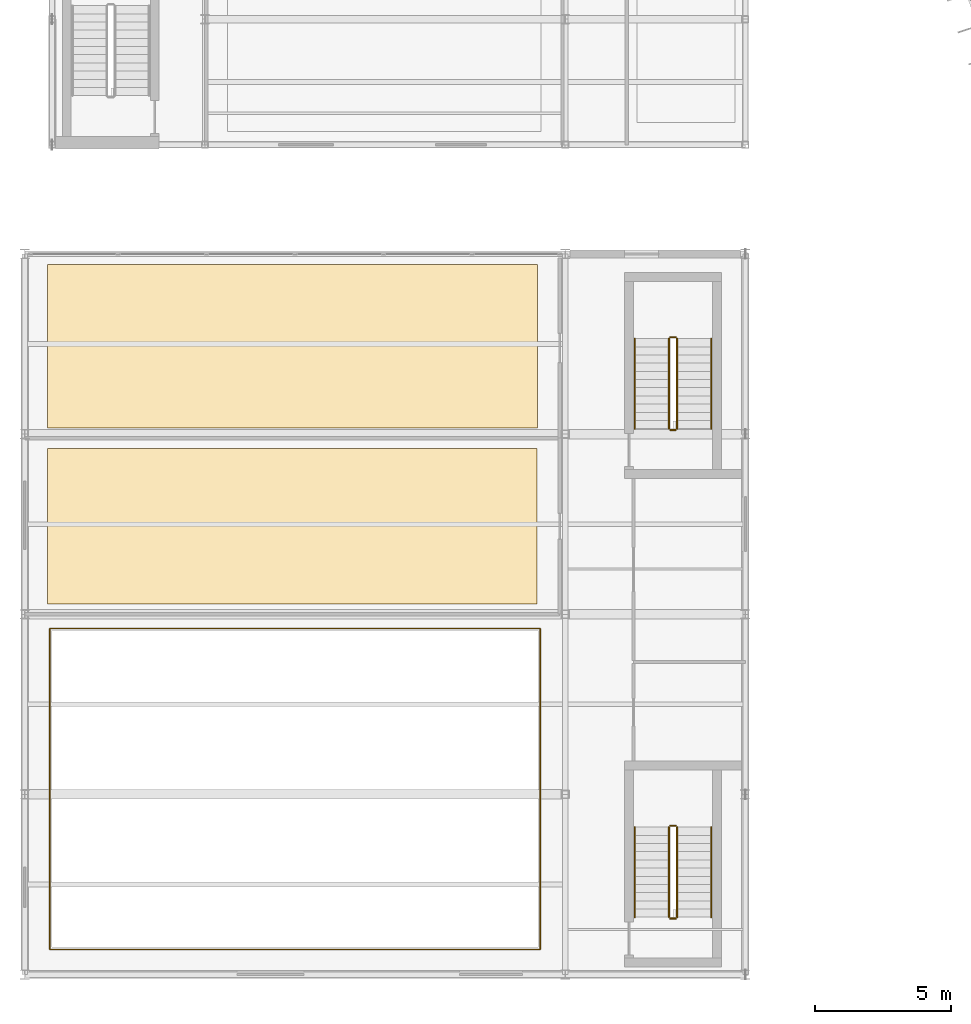
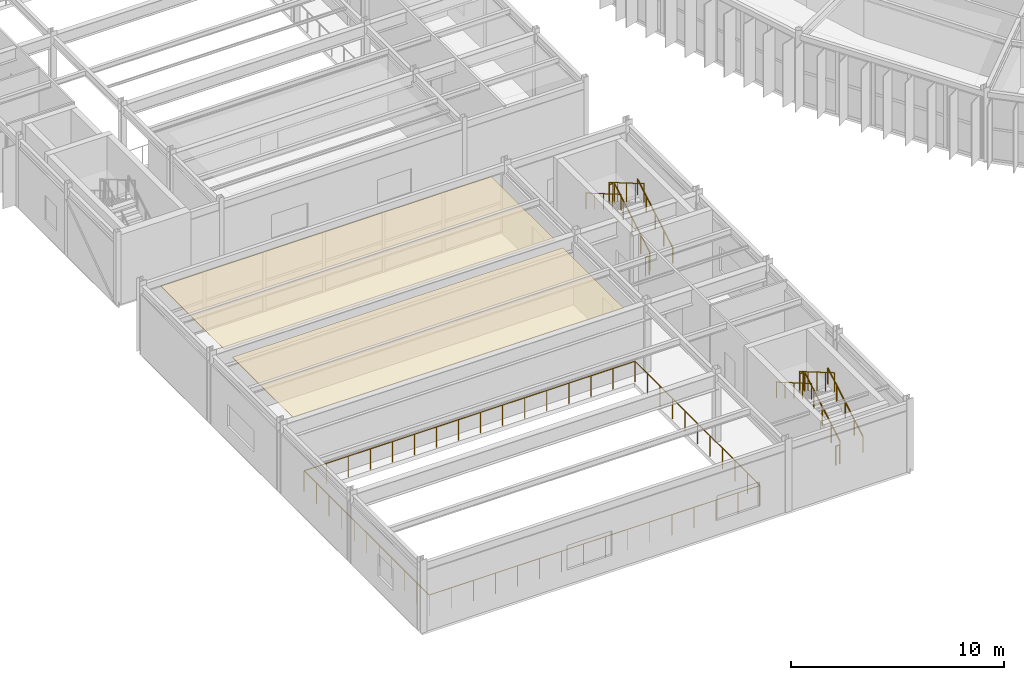
# One storey, part 133 of 148: 13 railings, 2 coverings.
"""IFC4 building model written with IfcOpenShell, lengths in metres."""

from ifc_helpers import new_model, si_unit, direction, frame, origin, origin_2d, place, context, subcontext, project, spatial, polyline, circle, outline, extrude, material, layer, layer_set, type_object, element, save


model = new_model("IFC4")

# Units and contexts
model_context = context("Model", 3, precision=1e-05, world=origin(), true_north=direction((0.0, 1.0)))
body_context = subcontext(model_context, "Body", "Model", "MODEL_VIEW")
ifc_project = project(units=[si_unit("LENGTHUNIT", "METRE"), si_unit("AREAUNIT", "SQUARE_METRE"), si_unit("VOLUMEUNIT", "CUBIC_METRE"), si_unit("PLANEANGLEUNIT", "RADIAN"), si_unit("MASSUNIT", "GRAM", prefix="KILO")], contexts=[model_context])

# Site, building, storey
site_placement = place(None, origin())
site = spatial("IfcSite", under=ifc_project, at=site_placement, CompositionType="ELEMENT")
building_placement = place(site_placement, origin())
building = spatial("IfcBuilding", under=site, at=building_placement, Name="Karori Crest Natural Sciences Institute", CompositionType="ELEMENT")
storey_placement = place(building_placement, frame((0.0, 0.0, 4.89990234375)))
storey = spatial("IfcBuildingStorey", under=building, at=storey_placement, Name="L01", CompositionType="ELEMENT", Elevation=4.89990234375)

# Coverings
ifc_material_1 = material(Name="Acoustic mineral fibre ceiling tile")
ifc_layer = layer(ifc_material_1, 0.02490234375, Name="Acoustic mineral fibre ceiling tile")
ifc_layer_set = layer_set([ifc_layer], Name="Acoustic mineral fibre ceiling tile")
covering_type = type_object("IfcCoveringType", Name="CVT-CEIL", PredefinedType="CEILING", material=ifc_layer_set)
covering_1_placement = place(storey_placement, frame((0.0, 0.0, 3.705078125)))
element("IfcCovering", 1, at=covering_1_placement, inside=storey, type_object=covering_type, Name="Acoustic ceiling CLG-0039", PredefinedType="CEILING", context=body_context, shape_type="SweptSolid", body=[
    extrude(outline(polyline([(1.627197265625, 20.077880859375), (1.627197265625, 14.3720703125), (19.572998046875, 14.3720703125), (19.572998046875, 20.077880859375), (1.627197265625, 20.077880859375)])), origin(), (0.0, 0.0, 1.0), 0.02490234375),
])
covering_2_placement = place(storey_placement, frame((0.0, 0.0, 3.705078125)))
element("IfcCovering", 2, at=covering_2_placement, inside=storey, type_object=covering_type, Name="Acoustic ceiling CLG-0040", PredefinedType="CEILING", context=body_context, shape_type="SweptSolid", body=[
    extrude(outline(polyline([(1.6240234375, 26.818603515625), (1.6240234375, 20.83154296875), (19.575927734375, 20.83154296875), (19.575927734375, 26.818603515625), (1.6240234375, 26.818603515625)])), origin(), (0.0, 0.0, 1.0), 0.02490234375),
])

# Railings
ifc_material_2 = material(Name="Stainless steel 316 balustrade", Category="steel")
railing_type_1 = type_object("IfcRailingType", Name="RLT-GRD", PredefinedType="GUARDRAIL", material=ifc_material_2)
railing_1_placement = place(storey_placement, frame((1.719970703125, 13.47998046875, 0.0)))
element("IfcRailing", 3, at=railing_1_placement, inside=storey, type_object=railing_type_1, Name="Auditorium balcony void guard GR-0007", PredefinedType="GUARDRAIL", context=body_context, shape_type="SweptSolid", body=[
    extrude(circle(Radius=0.02392578125, at=origin_2d()), frame((0.0, 0.0, 1.17578125), z_axis=(1.0, 0.0, 0.0), x_axis=(0.0, 1.0, 0.0)), (0.0, 0.0, 1.0), 17.9599609375),
    extrude(circle(Radius=0.02392578125, at=origin_2d()), frame((17.9599609375, 0.0, 1.17578125), z_axis=(0.0, -1.0, 0.0), x_axis=(1.0, 0.0, 0.0)), (0.0, 0.0, 1.0), 11.760009765625),
    extrude(circle(Radius=0.02392578125, at=origin_2d()), frame((17.9599609375, -11.760009765625, 1.17578125), z_axis=(-1.0, 0.0, 0.0), x_axis=(0.0, -1.0, 0.0)), (0.0, 0.0, 1.0), 17.9599609375),
    extrude(circle(Radius=0.02392578125, at=origin_2d()), frame((0.0, -11.760009765625, 1.17578125), z_axis=(0.0, 1.0, 0.0), x_axis=(-1.0, 0.0, 0.0)), (0.0, 0.0, 1.0), 11.760009765625),
    extrude(circle(Radius=0.02099609375, at=origin_2d()), origin(), (0.0, 0.0, 1.0), 1.15185546875),
    extrude(circle(Radius=0.02099609375, at=origin_2d()), frame((1.197265625, 0.0, 0.0)), (0.0, 0.0, 1.0), 1.15185546875),
    extrude(circle(Radius=0.02099609375, at=origin_2d()), frame((2.394775390625, 0.0, 0.0)), (0.0, 0.0, 1.0), 1.15185546875),
    extrude(circle(Radius=0.02099609375, at=origin_2d()), frame((3.592041015625, 0.0, 0.0)), (0.0, 0.0, 1.0), 1.15185546875),
    extrude(circle(Radius=0.02099609375, at=origin_2d()), frame((4.789306640625, 0.0, 0.0)), (0.0, 0.0, 1.0), 1.15185546875),
    extrude(circle(Radius=0.02099609375, at=origin_2d()), frame((5.986572265625, 0.0, 0.0)), (0.0, 0.0, 1.0), 1.15185546875),
    extrude(circle(Radius=0.02099609375, at=origin_2d()), frame((7.18408203125, 0.0, 0.0)), (0.0, 0.0, 1.0), 1.15185546875),
    extrude(circle(Radius=0.02099609375, at=origin_2d()), frame((8.38134765625, 0.0, 0.0)), (0.0, 0.0, 1.0), 1.15185546875),
    extrude(circle(Radius=0.02099609375, at=origin_2d()), frame((9.57861328125, 0.0, 0.0)), (0.0, 0.0, 1.0), 1.15185546875),
    extrude(circle(Radius=0.02099609375, at=origin_2d()), frame((10.77587890625, 0.0, 0.0)), (0.0, 0.0, 1.0), 1.15185546875),
    extrude(circle(Radius=0.02099609375, at=origin_2d()), frame((11.973388671875, 0.0, 0.0)), (0.0, 0.0, 1.0), 1.15185546875),
    extrude(circle(Radius=0.02099609375, at=origin_2d()), frame((13.170654296875, 0.0, 0.0)), (0.0, 0.0, 1.0), 1.15185546875),
    extrude(circle(Radius=0.02099609375, at=origin_2d()), frame((14.367919921875, 0.0, 0.0)), (0.0, 0.0, 1.0), 1.15185546875),
    extrude(circle(Radius=0.02099609375, at=origin_2d()), frame((15.565185546875, 0.0, 0.0)), (0.0, 0.0, 1.0), 1.15185546875),
    extrude(circle(Radius=0.02099609375, at=origin_2d()), frame((16.7626953125, 0.0, 0.0)), (0.0, 0.0, 1.0), 1.15185546875),
    extrude(circle(Radius=0.02099609375, at=origin_2d()), frame((17.9599609375, 0.0, 0.0)), (0.0, 0.0, 1.0), 1.15185546875),
    extrude(circle(Radius=0.02099609375, at=origin_2d()), frame((17.9599609375, -1.176025390625, 0.0)), (0.0, 0.0, 1.0), 1.15185546875),
    extrude(circle(Radius=0.02099609375, at=origin_2d()), frame((17.9599609375, -2.35205078125, 0.0)), (0.0, 0.0, 1.0), 1.15185546875),
    extrude(circle(Radius=0.02099609375, at=origin_2d()), frame((17.9599609375, -3.528076171875, 0.0)), (0.0, 0.0, 1.0), 1.15185546875),
    extrude(circle(Radius=0.02099609375, at=origin_2d()), frame((17.9599609375, -4.7041015625, 0.0)), (0.0, 0.0, 1.0), 1.15185546875),
    extrude(circle(Radius=0.02099609375, at=origin_2d()), frame((17.9599609375, -5.8798828125, 0.0)), (0.0, 0.0, 1.0), 1.15185546875),
    extrude(circle(Radius=0.02099609375, at=origin_2d()), frame((17.9599609375, -7.055908203125, 0.0)), (0.0, 0.0, 1.0), 1.15185546875),
    extrude(circle(Radius=0.02099609375, at=origin_2d()), frame((17.9599609375, -8.23193359375, 0.0)), (0.0, 0.0, 1.0), 1.15185546875),
    extrude(circle(Radius=0.02099609375, at=origin_2d()), frame((17.9599609375, -9.407958984375, 0.0)), (0.0, 0.0, 1.0), 1.15185546875),
    extrude(circle(Radius=0.02099609375, at=origin_2d()), frame((17.9599609375, -10.583984375, 0.0)), (0.0, 0.0, 1.0), 1.15185546875),
    extrude(circle(Radius=0.02099609375, at=origin_2d()), frame((17.9599609375, -11.760009765625, 0.0)), (0.0, 0.0, 1.0), 1.15185546875),
    extrude(circle(Radius=0.02099609375, at=origin_2d()), frame((16.7626953125, -11.760009765625, 0.0)), (0.0, 0.0, 1.0), 1.15185546875),
    extrude(circle(Radius=0.02099609375, at=origin_2d()), frame((15.565185546875, -11.760009765625, 0.0)), (0.0, 0.0, 1.0), 1.15185546875),
    extrude(circle(Radius=0.02099609375, at=origin_2d()), frame((14.367919921875, -11.760009765625, 0.0)), (0.0, 0.0, 1.0), 1.15185546875),
    extrude(circle(Radius=0.02099609375, at=origin_2d()), frame((13.170654296875, -11.760009765625, 0.0)), (0.0, 0.0, 1.0), 1.15185546875),
    extrude(circle(Radius=0.02099609375, at=origin_2d()), frame((11.973388671875, -11.760009765625, 0.0)), (0.0, 0.0, 1.0), 1.15185546875),
    extrude(circle(Radius=0.02099609375, at=origin_2d()), frame((10.77587890625, -11.760009765625, 0.0)), (0.0, 0.0, 1.0), 1.15185546875),
    extrude(circle(Radius=0.02099609375, at=origin_2d()), frame((9.57861328125, -11.760009765625, 0.0)), (0.0, 0.0, 1.0), 1.15185546875),
    extrude(circle(Radius=0.02099609375, at=origin_2d()), frame((8.38134765625, -11.760009765625, 0.0)), (0.0, 0.0, 1.0), 1.15185546875),
    extrude(circle(Radius=0.02099609375, at=origin_2d()), frame((7.18408203125, -11.760009765625, 0.0)), (0.0, 0.0, 1.0), 1.15185546875),
    extrude(circle(Radius=0.02099609375, at=origin_2d()), frame((5.986572265625, -11.760009765625, 0.0)), (0.0, 0.0, 1.0), 1.15185546875),
    extrude(circle(Radius=0.02099609375, at=origin_2d()), frame((4.789306640625, -11.760009765625, 0.0)), (0.0, 0.0, 1.0), 1.15185546875),
    extrude(circle(Radius=0.02099609375, at=origin_2d()), frame((3.592041015625, -11.760009765625, 0.0)), (0.0, 0.0, 1.0), 1.15185546875),
    extrude(circle(Radius=0.02099609375, at=origin_2d()), frame((2.394775390625, -11.760009765625, 0.0)), (0.0, 0.0, 1.0), 1.15185546875),
    extrude(circle(Radius=0.02099609375, at=origin_2d()), frame((1.197265625, -11.760009765625, 0.0)), (0.0, 0.0, 1.0), 1.15185546875),
    extrude(circle(Radius=0.02099609375, at=origin_2d()), frame((0.0, -11.760009765625, 0.0)), (0.0, 0.0, 1.0), 1.15185546875),
    extrude(circle(Radius=0.02099609375, at=origin_2d()), frame((0.0, -10.583984375, 0.0)), (0.0, 0.0, 1.0), 1.15185546875),
    extrude(circle(Radius=0.02099609375, at=origin_2d()), frame((0.0, -9.407958984375, 0.0)), (0.0, 0.0, 1.0), 1.15185546875),
    extrude(circle(Radius=0.02099609375, at=origin_2d()), frame((0.0, -8.23193359375, 0.0)), (0.0, 0.0, 1.0), 1.15185546875),
    extrude(circle(Radius=0.02099609375, at=origin_2d()), frame((0.0, -7.055908203125, 0.0)), (0.0, 0.0, 1.0), 1.15185546875),
    extrude(circle(Radius=0.02099609375, at=origin_2d()), frame((0.0, -5.8798828125, 0.0)), (0.0, 0.0, 1.0), 1.15185546875),
    extrude(circle(Radius=0.02099609375, at=origin_2d()), frame((0.0, -4.7041015625, 0.0)), (0.0, 0.0, 1.0), 1.15185546875),
    extrude(circle(Radius=0.02099609375, at=origin_2d()), frame((0.0, -3.528076171875, 0.0)), (0.0, 0.0, 1.0), 1.15185546875),
    extrude(circle(Radius=0.02099609375, at=origin_2d()), frame((0.0, -2.35205078125, 0.0)), (0.0, 0.0, 1.0), 1.15185546875),
    extrude(circle(Radius=0.02099609375, at=origin_2d()), frame((0.0, -1.176025390625, 0.0)), (0.0, 0.0, 1.0), 1.15185546875),
])
ifc_material_3 = material(Name="Stainless steel 316 tubular handrail", Category="steel")
railing_type_2 = type_object("IfcRailingType", Name="RLT-HND", PredefinedType="HANDRAIL", material=ifc_material_3)
railing_2_placement = place(storey_placement, frame((25.949951171875, 2.89990234375, 0.175048828125)))
element("IfcRailing", 4, at=railing_2_placement, inside=storey, type_object=railing_type_2, Name="Stair handrail RL-0385", PredefinedType="HANDRAIL", context=body_context, shape_type="SweptSolid", body=[
    extrude(circle(Radius=0.02392578125, at=origin_2d()), frame((0.0, 0.0, 0.90087890625), z_axis=(0.0, 0.863776583165, 0.503874998761), x_axis=(-1.0, 0.0, 0.0)), (0.0, 0.0, 1.0), 3.820556640625),
    extrude(circle(Radius=0.02099609375, at=origin_2d()), origin(), (0.0, 0.0, 1.0), 0.876953125),
    extrude(circle(Radius=0.02099609375, at=origin_2d()), frame((0.0, 0.824951171875, 0.481201171875)), (0.0, 0.0, 1.0), 0.876953125),
    extrude(circle(Radius=0.02099609375, at=origin_2d()), frame((0.0, 1.64990234375, 0.96240234375)), (0.0, 0.0, 1.0), 0.876953125),
    extrude(circle(Radius=0.02099609375, at=origin_2d()), frame((0.0, 2.47509765625, 1.44384765625)), (0.0, 0.0, 1.0), 0.876953125),
    extrude(circle(Radius=0.02099609375, at=origin_2d()), frame((0.0, 3.300048828125, 1.925048828125)), (0.0, 0.0, 1.0), 0.876953125),
])
railing_3_placement = place(storey_placement, frame((23.14990234375, 6.199951171875, 2.275146484375)))
element("IfcRailing", 5, at=railing_3_placement, inside=storey, type_object=railing_type_2, Name="Stair handrail RL-0386", PredefinedType="HANDRAIL", context=body_context, shape_type="SweptSolid", body=[
    extrude(circle(Radius=0.02392578125, at=origin_2d()), frame((0.0, 0.0, 0.90087890625), z_axis=(0.0, -0.863776583165, 0.503874998761), x_axis=(1.0, 0.0, 0.0)), (0.0, 0.0, 1.0), 3.820556640625),
    extrude(circle(Radius=0.02099609375, at=origin_2d()), origin(), (0.0, 0.0, 1.0), 0.876953125),
    extrude(circle(Radius=0.02099609375, at=origin_2d()), frame((0.0, -0.824951171875, 0.481201171875)), (0.0, 0.0, 1.0), 0.876953125),
    extrude(circle(Radius=0.02099609375, at=origin_2d()), frame((0.0, -1.64990234375, 0.96240234375)), (0.0, 0.0, 1.0), 0.876953125),
    extrude(circle(Radius=0.02099609375, at=origin_2d()), frame((0.0, -2.47509765625, 1.44384765625)), (0.0, 0.0, 1.0), 0.876953125),
    extrude(circle(Radius=0.02099609375, at=origin_2d()), frame((0.0, -3.300048828125, 1.925048828125)), (0.0, 0.0, 1.0), 0.876953125),
])
railing_4_placement = place(storey_placement, frame((25.949951171875, 20.800048828125, 0.175048828125)))
element("IfcRailing", 6, at=railing_4_placement, inside=storey, type_object=railing_type_2, Name="Stair handrail RL-0404", PredefinedType="HANDRAIL", context=body_context, shape_type="SweptSolid", body=[
    extrude(circle(Radius=0.02392578125, at=origin_2d()), frame((0.0, 0.0, 0.90087890625), z_axis=(0.0, 0.863776583165, 0.503874998761), x_axis=(-1.0, 0.0, 0.0)), (0.0, 0.0, 1.0), 3.820556640625),
    extrude(circle(Radius=0.02099609375, at=origin_2d()), origin(), (0.0, 0.0, 1.0), 0.876953125),
    extrude(circle(Radius=0.02099609375, at=origin_2d()), frame((0.0, 0.824951171875, 0.481201171875)), (0.0, 0.0, 1.0), 0.876953125),
    extrude(circle(Radius=0.02099609375, at=origin_2d()), frame((0.0, 1.64990234375, 0.96240234375)), (0.0, 0.0, 1.0), 0.876953125),
    extrude(circle(Radius=0.02099609375, at=origin_2d()), frame((0.0, 2.47509765625, 1.44384765625)), (0.0, 0.0, 1.0), 0.876953125),
    extrude(circle(Radius=0.02099609375, at=origin_2d()), frame((0.0, 3.300048828125, 1.925048828125)), (0.0, 0.0, 1.0), 0.876953125),
])
railing_5_placement = place(storey_placement, frame((23.14990234375, 24.10009765625, 2.275146484375)))
element("IfcRailing", 7, at=railing_5_placement, inside=storey, type_object=railing_type_2, Name="Stair handrail RL-0405", PredefinedType="HANDRAIL", context=body_context, shape_type="SweptSolid", body=[
    extrude(circle(Radius=0.02392578125, at=origin_2d()), frame((0.0, 0.0, 0.90087890625), z_axis=(0.0, -0.863776583165, 0.503874998761), x_axis=(1.0, 0.0, 0.0)), (0.0, 0.0, 1.0), 3.820556640625),
    extrude(circle(Radius=0.02099609375, at=origin_2d()), origin(), (0.0, 0.0, 1.0), 0.876953125),
    extrude(circle(Radius=0.02099609375, at=origin_2d()), frame((0.0, -0.824951171875, 0.481201171875)), (0.0, 0.0, 1.0), 0.876953125),
    extrude(circle(Radius=0.02099609375, at=origin_2d()), frame((0.0, -1.64990234375, 0.96240234375)), (0.0, 0.0, 1.0), 0.876953125),
    extrude(circle(Radius=0.02099609375, at=origin_2d()), frame((0.0, -2.47509765625, 1.44384765625)), (0.0, 0.0, 1.0), 0.876953125),
    extrude(circle(Radius=0.02099609375, at=origin_2d()), frame((0.0, -3.300048828125, 1.925048828125)), (0.0, 0.0, 1.0), 0.876953125),
])
ifc_material_4 = material(Name="Stainless steel 316 stair guard", Category="steel")
railing_type_3 = type_object("IfcRailingType", Name="RLT-STG", PredefinedType="GUARDRAIL", material=ifc_material_4)
railing_6_placement = place(storey_placement, frame((24.699951171875, 2.89990234375, 0.175048828125)))
element("IfcRailing", 8, at=railing_6_placement, inside=storey, type_object=railing_type_3, Name="Stair guard RL-0381", PredefinedType="GUARDRAIL", context=body_context, shape_type="SweptSolid", body=[
    extrude(circle(Radius=0.02392578125, at=origin_2d()), frame((0.0, 0.0, 1.076171875), z_axis=(0.0, 0.863776583165, 0.503874998761), x_axis=(-1.0, 0.0, 0.0)), (0.0, 0.0, 1.0), 3.820556640625),
    extrude(circle(Radius=0.02099609375, at=origin_2d()), origin(), (0.0, 0.0, 1.0), 1.052001953125),
    extrude(circle(Radius=0.02099609375, at=origin_2d()), frame((0.0, 0.824951171875, 0.481201171875)), (0.0, 0.0, 1.0), 1.052001953125),
    extrude(circle(Radius=0.02099609375, at=origin_2d()), frame((0.0, 1.64990234375, 0.96240234375)), (0.0, 0.0, 1.0), 1.052001953125),
    extrude(circle(Radius=0.02099609375, at=origin_2d()), frame((0.0, 2.47509765625, 1.44384765625)), (0.0, 0.0, 1.0), 1.052001953125),
    extrude(circle(Radius=0.02099609375, at=origin_2d()), frame((0.0, 3.300048828125, 1.925048828125)), (0.0, 0.0, 1.0), 1.052001953125),
])
railing_7_placement = place(storey_placement, frame((24.64990234375, 6.25, 2.10009765625)))
element("IfcRailing", 9, at=railing_7_placement, inside=storey, type_object=railing_type_3, Name="Stair guard RL-0382", PredefinedType="GUARDRAIL", context=body_context, shape_type="SweptSolid", body=[
    extrude(circle(Radius=0.02392578125, at=origin_2d()), frame((0.0, 0.0, 1.076171875), z_axis=(-1.0, 0.0, 0.0), x_axis=(0.0, -1.0, 0.0)), (0.0, 0.0, 1.0), 0.199951171875),
    extrude(circle(Radius=0.02099609375, at=origin_2d()), origin(), (0.0, 0.0, 1.0), 1.052001953125),
    extrude(circle(Radius=0.02099609375, at=origin_2d()), frame((-0.199951171875, 0.0, 0.0)), (0.0, 0.0, 1.0), 1.052001953125),
])
railing_8_placement = place(storey_placement, frame((24.39990234375, 6.199951171875, 2.275146484375)))
element("IfcRailing", 10, at=railing_8_placement, inside=storey, type_object=railing_type_3, Name="Stair guard RL-0383", PredefinedType="GUARDRAIL", context=body_context, shape_type="SweptSolid", body=[
    extrude(circle(Radius=0.02392578125, at=origin_2d()), frame((0.0, 0.0, 1.076171875), z_axis=(0.0, -0.863776583165, 0.503874998761), x_axis=(1.0, 0.0, 0.0)), (0.0, 0.0, 1.0), 3.820556640625),
    extrude(circle(Radius=0.02099609375, at=origin_2d()), origin(), (0.0, 0.0, 1.0), 1.052001953125),
    extrude(circle(Radius=0.02099609375, at=origin_2d()), frame((0.0, -0.824951171875, 0.481201171875)), (0.0, 0.0, 1.0), 1.052001953125),
    extrude(circle(Radius=0.02099609375, at=origin_2d()), frame((0.0, -1.64990234375, 0.96240234375)), (0.0, 0.0, 1.0), 1.052001953125),
    extrude(circle(Radius=0.02099609375, at=origin_2d()), frame((0.0, -2.47509765625, 1.44384765625)), (0.0, 0.0, 1.0), 1.052001953125),
    extrude(circle(Radius=0.02099609375, at=origin_2d()), frame((0.0, -3.300048828125, 1.925048828125)), (0.0, 0.0, 1.0), 1.052001953125),
])
railing_9_placement = place(storey_placement, frame((24.64990234375, 2.85009765625, 0.0)))
element("IfcRailing", 11, at=railing_9_placement, inside=storey, type_object=railing_type_3, Name="Stair guard RL-0384", PredefinedType="GUARDRAIL", context=body_context, shape_type="SweptSolid", body=[
    extrude(circle(Radius=0.02392578125, at=origin_2d()), frame((0.0, 0.0, 1.076171875), z_axis=(-1.0, 0.0, 0.0), x_axis=(0.0, -1.0, 0.0)), (0.0, 0.0, 1.0), 0.199951171875),
    extrude(circle(Radius=0.02099609375, at=origin_2d()), origin(), (0.0, 0.0, 1.0), 1.052001953125),
    extrude(circle(Radius=0.02099609375, at=origin_2d()), frame((-0.199951171875, 0.0, 0.0)), (0.0, 0.0, 1.0), 1.052001953125),
])
railing_10_placement = place(storey_placement, frame((24.699951171875, 20.800048828125, 0.175048828125)))
element("IfcRailing", 12, at=railing_10_placement, inside=storey, type_object=railing_type_3, Name="Stair guard RL-0400", PredefinedType="GUARDRAIL", context=body_context, shape_type="SweptSolid", body=[
    extrude(circle(Radius=0.02392578125, at=origin_2d()), frame((0.0, 0.0, 1.076171875), z_axis=(0.0, 0.863776583165, 0.503874998761), x_axis=(-1.0, 0.0, 0.0)), (0.0, 0.0, 1.0), 3.820556640625),
    extrude(circle(Radius=0.02099609375, at=origin_2d()), origin(), (0.0, 0.0, 1.0), 1.052001953125),
    extrude(circle(Radius=0.02099609375, at=origin_2d()), frame((0.0, 0.824951171875, 0.481201171875)), (0.0, 0.0, 1.0), 1.052001953125),
    extrude(circle(Radius=0.02099609375, at=origin_2d()), frame((0.0, 1.64990234375, 0.96240234375)), (0.0, 0.0, 1.0), 1.052001953125),
    extrude(circle(Radius=0.02099609375, at=origin_2d()), frame((0.0, 2.47509765625, 1.44384765625)), (0.0, 0.0, 1.0), 1.052001953125),
    extrude(circle(Radius=0.02099609375, at=origin_2d()), frame((0.0, 3.300048828125, 1.925048828125)), (0.0, 0.0, 1.0), 1.052001953125),
])
railing_11_placement = place(storey_placement, frame((24.64990234375, 24.14990234375, 2.10009765625)))
element("IfcRailing", 13, at=railing_11_placement, inside=storey, type_object=railing_type_3, Name="Stair guard RL-0401", PredefinedType="GUARDRAIL", context=body_context, shape_type="SweptSolid", body=[
    extrude(circle(Radius=0.02392578125, at=origin_2d()), frame((0.0, 0.0, 1.076171875), z_axis=(-1.0, 0.0, 0.0), x_axis=(0.0, -1.0, 0.0)), (0.0, 0.0, 1.0), 0.199951171875),
    extrude(circle(Radius=0.02099609375, at=origin_2d()), origin(), (0.0, 0.0, 1.0), 1.052001953125),
    extrude(circle(Radius=0.02099609375, at=origin_2d()), frame((-0.199951171875, 0.0, 0.0)), (0.0, 0.0, 1.0), 1.052001953125),
])
railing_12_placement = place(storey_placement, frame((24.39990234375, 24.10009765625, 2.275146484375)))
element("IfcRailing", 14, at=railing_12_placement, inside=storey, type_object=railing_type_3, Name="Stair guard RL-0402", PredefinedType="GUARDRAIL", context=body_context, shape_type="SweptSolid", body=[
    extrude(circle(Radius=0.02392578125, at=origin_2d()), frame((0.0, 0.0, 1.076171875), z_axis=(0.0, -0.863776583165, 0.503874998761), x_axis=(1.0, 0.0, 0.0)), (0.0, 0.0, 1.0), 3.820556640625),
    extrude(circle(Radius=0.02099609375, at=origin_2d()), origin(), (0.0, 0.0, 1.0), 1.052001953125),
    extrude(circle(Radius=0.02099609375, at=origin_2d()), frame((0.0, -0.824951171875, 0.481201171875)), (0.0, 0.0, 1.0), 1.052001953125),
    extrude(circle(Radius=0.02099609375, at=origin_2d()), frame((0.0, -1.64990234375, 0.96240234375)), (0.0, 0.0, 1.0), 1.052001953125),
    extrude(circle(Radius=0.02099609375, at=origin_2d()), frame((0.0, -2.47509765625, 1.44384765625)), (0.0, 0.0, 1.0), 1.052001953125),
    extrude(circle(Radius=0.02099609375, at=origin_2d()), frame((0.0, -3.300048828125, 1.925048828125)), (0.0, 0.0, 1.0), 1.052001953125),
])
railing_13_placement = place(storey_placement, frame((24.64990234375, 20.75, 0.0)))
element("IfcRailing", 15, at=railing_13_placement, inside=storey, type_object=railing_type_3, Name="Stair guard RL-0403", PredefinedType="GUARDRAIL", context=body_context, shape_type="SweptSolid", body=[
    extrude(circle(Radius=0.02392578125, at=origin_2d()), frame((0.0, 0.0, 1.076171875), z_axis=(-1.0, 0.0, 0.0), x_axis=(0.0, -1.0, 0.0)), (0.0, 0.0, 1.0), 0.199951171875),
    extrude(circle(Radius=0.02099609375, at=origin_2d()), origin(), (0.0, 0.0, 1.0), 1.052001953125),
    extrude(circle(Radius=0.02099609375, at=origin_2d()), frame((-0.199951171875, 0.0, 0.0)), (0.0, 0.0, 1.0), 1.052001953125),
])

save(model, "model.ifc")
